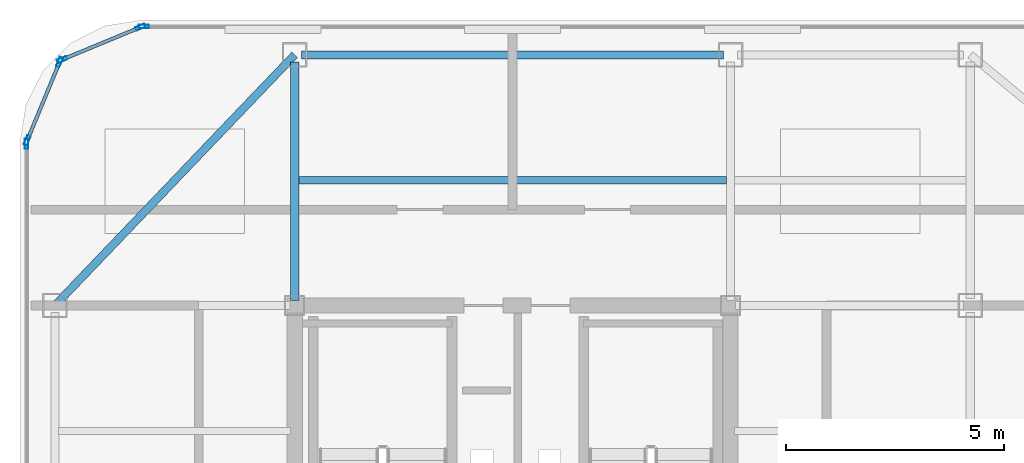
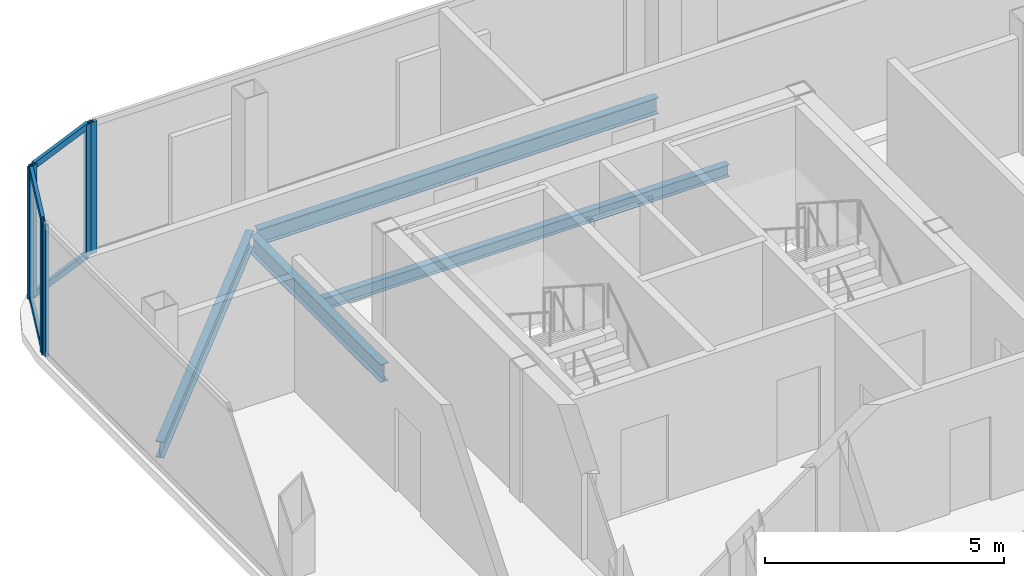
# One storey, part 6 of 11: 10 members, 4 beams, 4 elements without a shape of their own.
"""IFC4 building model written with IfcOpenShell, lengths in metres."""

import ifcopenshell
import ifcopenshell.guid

model = None  # the IFC model being written
_history = None  # IfcOwnerHistory: only IFC2X3 demands one
_inside = {}  # id of a spatial element -> (the spatial element, [elements in it])
_under = {}  # id of a project, library or spatial element -> (it, [spatial elements below it])
_declared = {}  # id of a project -> (the project, [libraries it declares])
_typed = {}  # id of a type object -> (the type object, [elements of that type])
_made_of = {}  # id of a material, layer set ... -> (it, [elements and type objects made of it])


def new_model(schema):
    """Start an empty IFC model of exactly this schema.

    Asked for "IFC4X3", IfcOpenShell would pick the latest addendum, in which some entities
    have other attributes; the version numbers below select the first issue.
    IFC2X3 requires an IfcOwnerHistory on every rooted entity: one is made here for all.
    """
    global model, _history
    if schema == "IFC4X3":
        model = ifcopenshell.file(schema_version=(4, 3, 0, 0))
    else:
        model = ifcopenshell.file(schema=schema)
    _inside.clear()
    _under.clear()
    _declared.clear()
    _typed.clear()
    _made_of.clear()
    _history = None
    if model.schema == "IFC2X3":
        org = make("IfcOrganization", Name="unknown")
        user = make(
            "IfcPersonAndOrganization",
            ThePerson=make("IfcPerson", FamilyName="unknown"),
            TheOrganization=org,
        )
        app = make(
            "IfcApplication",
            ApplicationDeveloper=org,
            Version="unknown",
            ApplicationFullName="unknown",
            ApplicationIdentifier="unknown",
        )
        _history = make(
            "IfcOwnerHistory",
            OwningUser=user,
            OwningApplication=app,
            ChangeAction="ADDED",
            CreationDate=0,
        )
    return model


def make(cls, **values):
    """One entity of the class cls with the attributes given. An attribute that is None is left unset."""
    return model.create_entity(
        cls, **{name: value for name, value in values.items() if value is not None}
    )


def rooted(cls, **values):
    """An entity with a GlobalId (a new one), such as an element, a storey or a relation."""
    return make(cls, GlobalId=ifcopenshell.guid.new(), OwnerHistory=_history, **values)


def si_unit(unit_type, name, prefix=None):
    """IfcSIUnit, for example si_unit("LENGTHUNIT", "METRE", prefix="MILLI")."""
    return make("IfcSIUnit", UnitType=unit_type, Prefix=prefix, Name=name)


def assignment(units):
    """IfcUnitAssignment: the units of a project."""
    return None if units is None else make("IfcUnitAssignment", Units=units)


def point(xyz):
    """IfcCartesianPoint."""
    return None if xyz is None else make("IfcCartesianPoint", Coordinates=xyz)


def direction(xyz):
    """IfcDirection."""
    return None if xyz is None else make("IfcDirection", DirectionRatios=xyz)


def frame(location, z_axis=None, x_axis=None):
    """IfcAxis2Placement3D, a coordinate frame: its origin and axes. An axis left out is left unset."""
    return make(
        "IfcAxis2Placement3D",
        Location=point(location),
        Axis=direction(z_axis),
        RefDirection=direction(x_axis),
    )


def frame_2d(location, x_axis=None):
    """IfcAxis2Placement2D, a coordinate frame in the plane: its origin and x axis."""
    return make(
        "IfcAxis2Placement2D", Location=point(location), RefDirection=direction(x_axis)
    )


def origin():
    """The frame at (0, 0, 0) with its axes left unset."""
    return frame((0.0, 0.0, 0.0))


def origin_2d():
    """The frame at (0, 0) in the plane with its x axis left unset."""
    return frame_2d((0.0, 0.0))


def place(relative_to, where):
    """IfcLocalPlacement: puts the frame where relative to a parent placement (None: the world)."""
    return make(
        "IfcLocalPlacement", PlacementRelTo=relative_to, RelativePlacement=where
    )


def context(
    kind, dimensions, precision=None, world=None, true_north=None, identifier=None
):
    """IfcGeometricRepresentationContext, for example the 3D "Model" context."""
    return make(
        "IfcGeometricRepresentationContext",
        ContextIdentifier=identifier,
        ContextType=kind,
        CoordinateSpaceDimension=dimensions,
        Precision=precision,
        WorldCoordinateSystem=world,
        TrueNorth=true_north,
    )


def subcontext(parent, identifier, kind, view, scale=None):
    """IfcGeometricRepresentationSubContext, for example "Body" below "Model"."""
    return make(
        "IfcGeometricRepresentationSubContext",
        ContextIdentifier=identifier,
        ContextType=kind,
        ParentContext=parent,
        TargetScale=scale,
        TargetView=view,
    )


def project(units=None, contexts=None):
    """IfcProject with its units and contexts."""
    return rooted(
        "IfcProject",
        Name="project",
        RepresentationContexts=contexts,
        UnitsInContext=assignment(units),
    )


def spatial(cls, under=None, at=None, **own):
    """A site, building, storey or space (cls), placed at a placement, below another one or the project."""
    s = rooted(cls, ObjectPlacement=at, **own)
    if under is not None:
        _under.setdefault(under.id(), (under, []))[1].append(s)
    return s


def profile(cls, at=None, kind="AREA", **sizes):
    """A parametric profile (cls). Its sizes go by their IFC names, for example OverallWidth=200.0."""
    return make(cls, ProfileType=kind, Position=at, **sizes)


def hollow_rectangle(**sizes):
    """IfcRectangleHollowProfileDef."""
    return profile("IfcRectangleHollowProfileDef", **sizes)


def i_section(**sizes):
    """IfcIShapeProfileDef."""
    return profile("IfcIShapeProfileDef", **sizes)


def extrude(swept, where, along, depth):
    """IfcExtrudedAreaSolid: the profile swept, set in the frame where, extruded along a direction by depth."""
    return make(
        "IfcExtrudedAreaSolid",
        SweptArea=swept,
        Position=where,
        ExtrudedDirection=direction(along),
        Depth=depth,
    )


def shape(context_of_items, identifier, shape_type, items):
    """IfcShapeRepresentation: the items that make up one representation, for example the "Body"."""
    return make(
        "IfcShapeRepresentation",
        ContextOfItems=context_of_items,
        RepresentationIdentifier=identifier,
        RepresentationType=shape_type,
        Items=items,
    )


def source(mapping_origin, context_of_items, identifier, shape_type, items):
    """IfcRepresentationMap: a shape defined once, which mapped items show again and again."""
    return make(
        "IfcRepresentationMap",
        MappingOrigin=mapping_origin,
        MappedRepresentation=shape(context_of_items, identifier, shape_type, items),
    )


def transform(
    local_origin,
    x_axis=None,
    y_axis=None,
    z_axis=None,
    scale=None,
    scale2=None,
    scale3=None,
    uniform=True,
):
    """IfcCartesianTransformationOperator3D, or its non-uniform kind. x_axis, y_axis, z_axis: its Axis1, 2, 3."""
    if uniform:
        return make(
            "IfcCartesianTransformationOperator3D",
            Axis1=direction(x_axis),
            Axis2=direction(y_axis),
            LocalOrigin=point(local_origin),
            Scale=scale,
            Axis3=direction(z_axis),
        )
    return make(
        "IfcCartesianTransformationOperator3DnonUniform",
        Axis1=direction(x_axis),
        Axis2=direction(y_axis),
        LocalOrigin=point(local_origin),
        Scale=scale,
        Axis3=direction(z_axis),
        Scale2=scale2,
        Scale3=scale3,
    )


def mapped(mapping_source, mapping_target):
    """IfcMappedItem: shows the shape of a source again, moved by a transform."""
    return make(
        "IfcMappedItem", MappingSource=mapping_source, MappingTarget=mapping_target
    )


def material(Name=None, Category=None):
    """IfcMaterial."""
    return make("IfcMaterial", Name=Name, Category=Category)


def layer(
    of_material, thickness, ventilated=None, Name=None, Category=None, Priority=None
):
    """IfcMaterialLayer: one layer of a wall or slab, of a material (None: an air gap)."""
    return make(
        "IfcMaterialLayer",
        Material=of_material,
        LayerThickness=thickness,
        IsVentilated=ventilated,
        Name=Name,
        Category=Category,
        Priority=Priority,
    )


def layer_set(layers, Name=None):
    """IfcMaterialLayerSet."""
    return make("IfcMaterialLayerSet", MaterialLayers=layers, LayerSetName=Name)


def material_profile(
    of_material, cross_section, Name=None, Category=None, Priority=None
):
    """IfcMaterialProfile: a cross section and its material."""
    return make(
        "IfcMaterialProfile",
        Name=Name,
        Material=of_material,
        Profile=cross_section,
        Priority=Priority,
        Category=Category,
    )


def profile_set(profiles, Name=None, composite=None):
    """IfcMaterialProfileSet."""
    return make(
        "IfcMaterialProfileSet",
        Name=Name,
        MaterialProfiles=profiles,
        CompositeProfile=composite,
    )


def made_of(thing, what):
    """Note that an element or type object is made of a material, layer set ...; save() writes the relation."""
    if what is not None:
        _made_of.setdefault(what.id(), (what, []))[1].append(thing)
    return thing


def type_object(cls, material=None, **own):
    """A type object (cls), such as IfcWallType, which elements share."""
    return made_of(rooted(cls, **own), material)


def element(
    cls,
    number,
    at=None,
    inside=None,
    cuts=None,
    type_object=None,
    material=None,
    context=None,
    identifier="Body",
    shape_type=None,
    held_by="IfcProductDefinitionShape",
    body=None,
    shapes=None,
    **own,
):
    """One element of the class cls, such as IfcWall. Its Tag is "e" and its number.

    at: its placement. inside: the storey or other place that contains it. cuts: it is an
    opening in that element (IfcRelVoidsElement). A single representation is given by context,
    identifier, shape_type and body (its items); several are given by shapes. held_by: the class
    of the entity that holds the representations. save() writes the other relations.
    """
    e = rooted(cls, Tag="e%d" % number, ObjectPlacement=at, **own)
    if body is not None:
        shapes = [shape(context, identifier, shape_type, body)]
    if shapes is not None:
        e.Representation = make(held_by, Representations=shapes)
    if inside is not None:
        _inside.setdefault(inside.id(), (inside, []))[1].append(e)
    if cuts is not None:
        rooted(
            "IfcRelVoidsElement", RelatingBuildingElement=cuts, RelatedOpeningElement=e
        )
    if type_object is not None:
        _typed.setdefault(type_object.id(), (type_object, []))[1].append(e)
    return made_of(e, material)


def aggregate(whole, parts):
    """IfcRelAggregates: a whole, such as a stair, and the parts it consists of."""
    return rooted("IfcRelAggregates", RelatingObject=whole, RelatedObjects=parts)


def save(model, path):
    """Write the relations noted so far, then the file.

    IfcRelAggregates (storeys below a building ...), IfcRelContainedInSpatialStructure (elements
    in a storey), IfcRelDefinesByType, IfcRelAssociatesMaterial and IfcRelDeclares: one each for
    every whole, place, type object, material and project.
    """
    for whole, parts in _under.values():
        aggregate(whole, parts)
    for where, things in _inside.values():
        rooted(
            "IfcRelContainedInSpatialStructure",
            RelatedElements=things,
            RelatingStructure=where,
        )
    for kind, things in _typed.values():
        rooted("IfcRelDefinesByType", RelatedObjects=things, RelatingType=kind)
    for what, things in _made_of.values():
        rooted("IfcRelAssociatesMaterial", RelatedObjects=things, RelatingMaterial=what)
    for by, libraries in _declared.values():
        rooted("IfcRelDeclares", RelatingContext=by, RelatedDefinitions=libraries)
    model.write(path)


model = new_model("IFC4")

# Units and contexts
model_context = context("Model", 3, precision=1e-05, world=origin(), true_north=direction((0.0, 1.0)))
body_context = subcontext(model_context, "Body", "Model", "MODEL_VIEW")
ifc_project = project(units=[si_unit("LENGTHUNIT", "METRE"), si_unit("AREAUNIT", "SQUARE_METRE"), si_unit("VOLUMEUNIT", "CUBIC_METRE"), si_unit("PLANEANGLEUNIT", "RADIAN"), si_unit("MASSUNIT", "GRAM", prefix="KILO")], contexts=[model_context])

# Site, building, storey
site_placement = place(None, origin())
site = spatial("IfcSite", under=ifc_project, at=site_placement, CompositionType="ELEMENT")
building_placement = place(site_placement, origin())
building = spatial("IfcBuilding", under=site, at=building_placement, Name="Kolveth Station Tower", CompositionType="ELEMENT")
storey_placement = place(building_placement, frame((0.0, 0.0, 282.10009765625)))
storey = spatial("IfcBuildingStorey", under=building, at=storey_placement, Name="L81", CompositionType="ELEMENT", Elevation=282.10009765625)

# Beams
ifc_material_1 = material(Name="Steel S355", Category="steel")
ifc_material_profile_1 = material_profile(ifc_material_1, i_section(OverallWidth=0.180908203125, OverallDepth=0.4169921875, WebThickness=0.010986328125, FlangeThickness=0.018310546875, at=origin_2d()), Name="W410x85")
ifc_profile_set_1 = profile_set([ifc_material_profile_1], Name="Steel S355")
beam_type_1 = type_object("IfcBeamType", Name="Beam_B8", PredefinedType="BEAM", material=ifc_profile_set_1)
shared_shape_1 = source(origin(), body_context, "Body", "SweptSolid", [
    extrude(i_section(OverallWidth=0.180908203125, OverallDepth=0.4169921875, WebThickness=0.010986328125, FlangeThickness=0.018310546875, at=origin_2d()), origin(), (0.0, 0.0, 1.0), 9.68017578125),
])
beam_1_placement = place(storey_placement, frame((18.659912109375, 34.5, -0.4287109375), z_axis=(1.0, 0.0, 0.0), x_axis=(0.0, 1.0, 0.0)))
element("IfcBeam", 1, at=beam_1_placement, inside=storey, type_object=beam_type_1, Name="L81 Perimeter Spandrel BM-L81-PN-1", PredefinedType="BEAM", context=body_context, shape_type="MappedRepresentation", body=[
    mapped(shared_shape_1, transform((0.0, 0.0, 0.0), x_axis=(1.0, 0.0, 0.0), y_axis=(0.0, 1.0, 0.0), z_axis=(0.0, 0.0, 1.0), scale=1.0)),
])
ifc_material_profile_2 = material_profile(ifc_material_1, i_section(OverallWidth=0.19091796875, OverallDepth=0.4599609375, WebThickness=0.010009765625, FlangeThickness=0.01611328125, at=origin_2d()), Name="W460x82")
ifc_profile_set_2 = profile_set([ifc_material_profile_2], Name="Steel S355")
beam_type_2 = type_object("IfcBeamType", Name="Beam_B7", PredefinedType="BEAM", material=ifc_profile_set_2)
shared_shape_2 = source(origin(), body_context, "Body", "SweptSolid", [
    extrude(i_section(OverallWidth=0.19091796875, OverallDepth=0.4599609375, WebThickness=0.010009765625, FlangeThickness=0.01611328125, at=origin_2d()), origin(), (0.0, 0.0, 1.0), 5.47998046875),
])
beam_2_placement = place(storey_placement, frame((18.5, 28.860107421875, -0.4501953125), z_axis=(0.0, 1.0, 0.0), x_axis=(-1.0, 0.0, 0.0)))
element("IfcBeam", 2, at=beam_2_placement, inside=storey, type_object=beam_type_2, Name="L81 Primary Girder BM-L81-GX185-5", PredefinedType="BEAM", context=body_context, shape_type="MappedRepresentation", body=[
    mapped(shared_shape_2, transform((0.0, 0.0, 0.0), x_axis=(1.0, 0.0, 0.0), y_axis=(0.0, 1.0, 0.0), z_axis=(0.0, 0.0, 1.0), scale=1.0)),
])
ifc_material_profile_3 = material_profile(ifc_material_1, i_section(OverallWidth=0.1650390625, OverallDepth=0.31005859375, WebThickness=0.005859375, FlangeThickness=0.009765625, at=origin_2d()), Name="W310x39")
ifc_profile_set_3 = profile_set([ifc_material_profile_3], Name="Steel S355")
beam_type_3 = type_object("IfcBeamType", Name="Beam_J3", PredefinedType="JOIST", material=ifc_profile_set_3)
shared_shape_3 = source(origin(), body_context, "Body", "SweptSolid", [
    extrude(i_section(OverallWidth=0.1650390625, OverallDepth=0.31005859375, WebThickness=0.005859375, FlangeThickness=0.009765625, at=origin_2d()), origin(), (0.0, 0.0, 1.0), 9.81298828125),
])
beam_3_placement = place(storey_placement, frame((18.593505859375, 31.625, -0.375), z_axis=(1.0, 0.0, 0.0), x_axis=(0.0, 1.0, 0.0)))
element("IfcBeam", 3, at=beam_3_placement, inside=storey, type_object=beam_type_3, Name="L81 Secondary Joist JST-L81-2-5", PredefinedType="JOIST", context=body_context, shape_type="MappedRepresentation", body=[
    mapped(shared_shape_3, transform((0.0, 0.0, 0.0), x_axis=(1.0, 0.0, 0.0), y_axis=(0.0, 1.0, 0.0), z_axis=(0.0, 0.0, 1.0), scale=1.0)),
])
shared_shape_4 = source(origin(), body_context, "Body", "SweptSolid", [
    extrude(i_section(OverallWidth=0.180908203125, OverallDepth=0.4169921875, WebThickness=0.010986328125, FlangeThickness=0.018310546875, at=origin_2d()), origin(), (0.0, 0.0, 1.0), 7.95703125),
])
beam_4_placement = place(storey_placement, frame((18.5, 34.5, -0.4287109375), z_axis=(-0.691222645967, -0.722641857148, 0.0), x_axis=(0.722641857148, -0.691222645967, 0.0)))
element("IfcBeam", 4, at=beam_4_placement, inside=storey, type_object=beam_type_1, Name="L81 Corner Edge Girder BM-L81-CNR-NW", PredefinedType="BEAM", context=body_context, shape_type="MappedRepresentation", body=[
    mapped(shared_shape_4, transform((0.0, 0.0, 0.0), x_axis=(1.0, 0.0, 0.0), y_axis=(0.0, 1.0, 0.0), z_axis=(0.0, 0.0, 1.0), scale=1.0)),
])

# Curtain wall, member
ifc_material_2 = material(Name="Black anodized aluminium 6063-T6 and dark crown glass", Category="aluminium")
ifc_layer = layer(ifc_material_2, 0.169921875)
ifc_layer_set = layer_set([ifc_layer], Name="Black anodized aluminium 6063-T6 and dark crown glass")
curtain_wall_type = type_object("IfcCurtainWallType", Name="CurtainWall_CW-CR", PredefinedType="NOTDEFINED", material=ifc_layer_set)
curtain_wall_1_placement = place(storey_placement, origin())
curtain_wall_1 = element("IfcCurtainWall", 5, at=curtain_wall_1_placement, inside=storey, type_object=curtain_wall_type, Name="L81 Stepped Crown Curtain Wall 6", PredefinedType="NOTDEFINED")
ifc_material_3 = material(Name="Black anodized aluminium 6063-T6", Category="aluminium")
ifc_material_profile_4 = material_profile(ifc_material_3, hollow_rectangle(XDim=0.0849609375, YDim=0.22998046875, WallThickness=0.0048828125, at=origin_2d()), Name="ALU-85x230x5")
ifc_profile_set_4 = profile_set([ifc_material_profile_4], Name="Black anodized aluminium 6063-T6")
member_type_1 = type_object("IfcMemberType", Name="Mullion_ML-CR", PredefinedType="MULLION", material=ifc_profile_set_4)
shared_shape_5 = source(origin(), body_context, "Body", "SweptSolid", [
    extrude(hollow_rectangle(XDim=0.0849609375, YDim=0.22998046875, WallThickness=0.0048828125, at=origin_2d()), origin(), (0.0, 0.0, 1.0), 3.3798828125),
])
member_1_placement = place(storey_placement, frame((15.04248046875, 35.14990234375, 0.0), z_axis=(0.0, 0.0, 1.0), x_axis=(0.0, -1.0, 0.0)))
member_1 = element("IfcMember", 6, at=member_1_placement, type_object=member_type_1, Name="CW-CR mullion 2", PredefinedType="MULLION", context=body_context, shape_type="MappedRepresentation", body=[
    mapped(shared_shape_5, transform((0.0, 0.0, 0.0), x_axis=(1.0, 0.0, 0.0), y_axis=(0.0, 1.0, 0.0), z_axis=(0.0, 0.0, 1.0), scale=1.0)),
])
aggregate(curtain_wall_1, [member_1])

# Curtain wall, members
curtain_wall_2_placement = place(storey_placement, origin())
curtain_wall_2 = element("IfcCurtainWall", 7, at=curtain_wall_2_placement, inside=storey, type_object=curtain_wall_type, Name="L81 Stepped Crown Curtain Wall 7", PredefinedType="NOTDEFINED")
member_2_placement = place(storey_placement, frame((14.960693359375, 35.1337890625, 0.0), z_axis=(0.0, 0.0, 1.0), x_axis=(0.382703054797, -0.92387140439, 0.0)))
member_2 = element("IfcMember", 8, at=member_2_placement, type_object=member_type_1, Name="CW-CR mullion 1", PredefinedType="MULLION", context=body_context, shape_type="MappedRepresentation", body=[
    mapped(shared_shape_5, transform((0.0, 0.0, 0.0), x_axis=(1.0, 0.0, 0.0), y_axis=(0.0, 1.0, 0.0), z_axis=(0.0, 0.0, 1.0), scale=1.0)),
])
member_3_placement = place(storey_placement, frame((13.16552734375, 34.39013671875, 0.0), z_axis=(0.0, 0.0, 1.0), x_axis=(0.382703054797, -0.92387140439, 0.0)))
member_3 = element("IfcMember", 9, at=member_3_placement, type_object=member_type_1, Name="CW-CR mullion 2", PredefinedType="MULLION", context=body_context, shape_type="MappedRepresentation", body=[
    mapped(shared_shape_5, transform((0.0, 0.0, 0.0), x_axis=(1.0, 0.0, 0.0), y_axis=(0.0, 1.0, 0.0), z_axis=(0.0, 0.0, 1.0), scale=1.0)),
])

curtain_wall_3_placement = place(storey_placement, origin())
curtain_wall_3 = element("IfcCurtainWall", 10, at=curtain_wall_3_placement, inside=storey, type_object=curtain_wall_type, Name="L81 Stepped Crown Curtain Wall 8", PredefinedType="NOTDEFINED")
member_4_placement = place(storey_placement, frame((13.10986328125, 34.33447265625, 0.0), z_axis=(0.0, 0.0, 1.0), x_axis=(0.92387140439, -0.382703054797, 0.0)))
member_4 = element("IfcMember", 11, at=member_4_placement, type_object=member_type_1, Name="CW-CR mullion 1", PredefinedType="MULLION", context=body_context, shape_type="MappedRepresentation", body=[
    mapped(shared_shape_5, transform((0.0, 0.0, 0.0), x_axis=(1.0, 0.0, 0.0), y_axis=(0.0, 1.0, 0.0), z_axis=(0.0, 0.0, 1.0), scale=1.0)),
])
member_5_placement = place(storey_placement, frame((12.3662109375, 32.539306640625, 0.0), z_axis=(0.0, 0.0, 1.0), x_axis=(0.92387140439, -0.382703054797, 0.0)))
member_5 = element("IfcMember", 12, at=member_5_placement, type_object=member_type_1, Name="CW-CR mullion 2", PredefinedType="MULLION", context=body_context, shape_type="MappedRepresentation", body=[
    mapped(shared_shape_5, transform((0.0, 0.0, 0.0), x_axis=(1.0, 0.0, 0.0), y_axis=(0.0, 1.0, 0.0), z_axis=(0.0, 0.0, 1.0), scale=1.0)),
])

# Curtain wall, member
curtain_wall_4_placement = place(storey_placement, origin())
curtain_wall_4 = element("IfcCurtainWall", 13, at=curtain_wall_4_placement, inside=storey, type_object=curtain_wall_type, Name="L81 Stepped Crown Curtain Wall 9", PredefinedType="NOTDEFINED")
member_6_placement = place(storey_placement, frame((12.35009765625, 32.45751953125, 0.0), z_axis=(0.0, 0.0, 1.0), x_axis=(1.0, 0.0, 0.0)))
member_6 = element("IfcMember", 14, at=member_6_placement, type_object=member_type_1, Name="CW-CR mullion 1", PredefinedType="MULLION", context=body_context, shape_type="MappedRepresentation", body=[
    mapped(shared_shape_5, transform((0.0, 0.0, 0.0), x_axis=(1.0, 0.0, 0.0), y_axis=(0.0, 1.0, 0.0), z_axis=(0.0, 0.0, 1.0), scale=1.0)),
])
aggregate(curtain_wall_4, [member_6])

# Member
ifc_material_profile_5 = material_profile(ifc_material_3, hollow_rectangle(XDim=0.080078125, YDim=0.1650390625, WallThickness=0.0048828125, at=origin_2d()), Name="ALU-80x165x5")
ifc_profile_set_5 = profile_set([ifc_material_profile_5], Name="Black anodized aluminium 6063-T6")
member_type_2 = type_object("IfcMemberType", Name="Transom_TR-CR", PredefinedType="USERDEFINED", material=ifc_profile_set_5)
shared_shape_6 = source(origin(), body_context, "Body", "SweptSolid", [
    extrude(hollow_rectangle(XDim=0.080078125, YDim=0.1650390625, WallThickness=0.0048828125, at=origin_2d()), origin(), (0.0, 0.0, 1.0), 1.858154296875),
])
member_7_placement = place(storey_placement, frame((14.92138671875, 35.117431640625, 0.039794921875), z_axis=(-0.923848662362, -0.382757950997, 0.0), x_axis=(0.382757950997, -0.923848662362, 0.0)))
member_7 = element("IfcMember", 15, at=member_7_placement, type_object=member_type_2, Name="CW-CR transom 1.1", ObjectType="TRANSOM", PredefinedType="USERDEFINED", context=body_context, shape_type="MappedRepresentation", body=[
    mapped(shared_shape_6, transform((0.0, 0.0, 0.0), x_axis=(1.0, 0.0, 0.0), y_axis=(0.0, 1.0, 0.0), z_axis=(0.0, 0.0, 1.0), scale=1.0)),
])

member_8_placement = place(storey_placement, frame((14.92138671875, 35.117431640625, 3.33984375), z_axis=(-0.923848662362, -0.382757950997, 0.0), x_axis=(0.382757950997, -0.923848662362, 0.0)))
member_8 = element("IfcMember", 16, at=member_8_placement, type_object=member_type_2, Name="CW-CR transom 1.2", ObjectType="TRANSOM", PredefinedType="USERDEFINED", context=body_context, shape_type="MappedRepresentation", body=[
    mapped(shared_shape_6, transform((0.0, 0.0, 0.0), x_axis=(1.0, 0.0, 0.0), y_axis=(0.0, 1.0, 0.0), z_axis=(0.0, 0.0, 1.0), scale=1.0)),
])

aggregate(curtain_wall_2, [member_2, member_3, member_7, member_8])

member_9_placement = place(storey_placement, frame((13.09375, 34.295166015625, 0.039794921875), z_axis=(-0.382757950997, -0.923848662362, 0.0), x_axis=(0.923848662362, -0.382757950997, 0.0)))
member_9 = element("IfcMember", 17, at=member_9_placement, type_object=member_type_2, Name="CW-CR transom 1.1", ObjectType="TRANSOM", PredefinedType="USERDEFINED", context=body_context, shape_type="MappedRepresentation", body=[
    mapped(shared_shape_6, transform((0.0, 0.0, 0.0), x_axis=(1.0, 0.0, 0.0), y_axis=(0.0, 1.0, 0.0), z_axis=(0.0, 0.0, 1.0), scale=1.0)),
])

member_10_placement = place(storey_placement, frame((13.09375, 34.295166015625, 3.33984375), z_axis=(-0.382757950997, -0.923848662362, 0.0), x_axis=(0.923848662362, -0.382757950997, 0.0)))
member_10 = element("IfcMember", 18, at=member_10_placement, type_object=member_type_2, Name="CW-CR transom 1.2", ObjectType="TRANSOM", PredefinedType="USERDEFINED", context=body_context, shape_type="MappedRepresentation", body=[
    mapped(shared_shape_6, transform((0.0, 0.0, 0.0), x_axis=(1.0, 0.0, 0.0), y_axis=(0.0, 1.0, 0.0), z_axis=(0.0, 0.0, 1.0), scale=1.0)),
])

aggregate(curtain_wall_3, [member_4, member_5, member_9, member_10])

save(model, "model.ifc")
